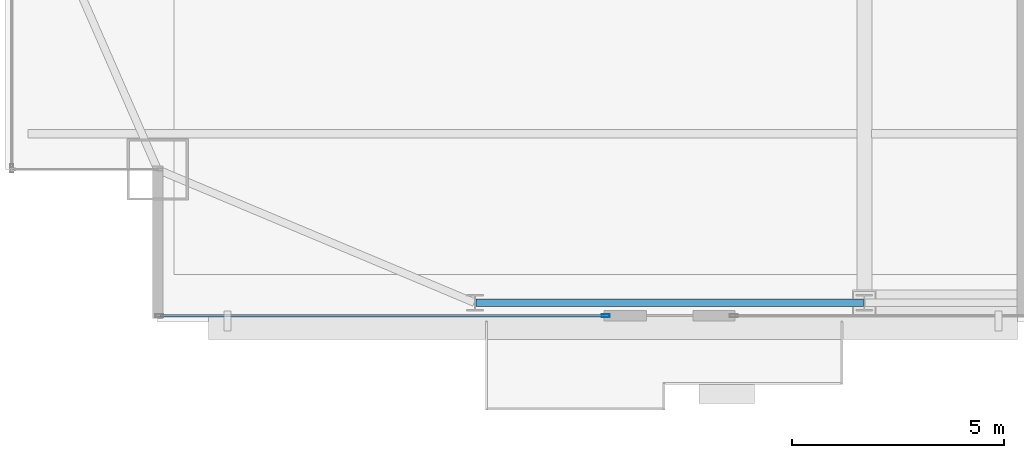
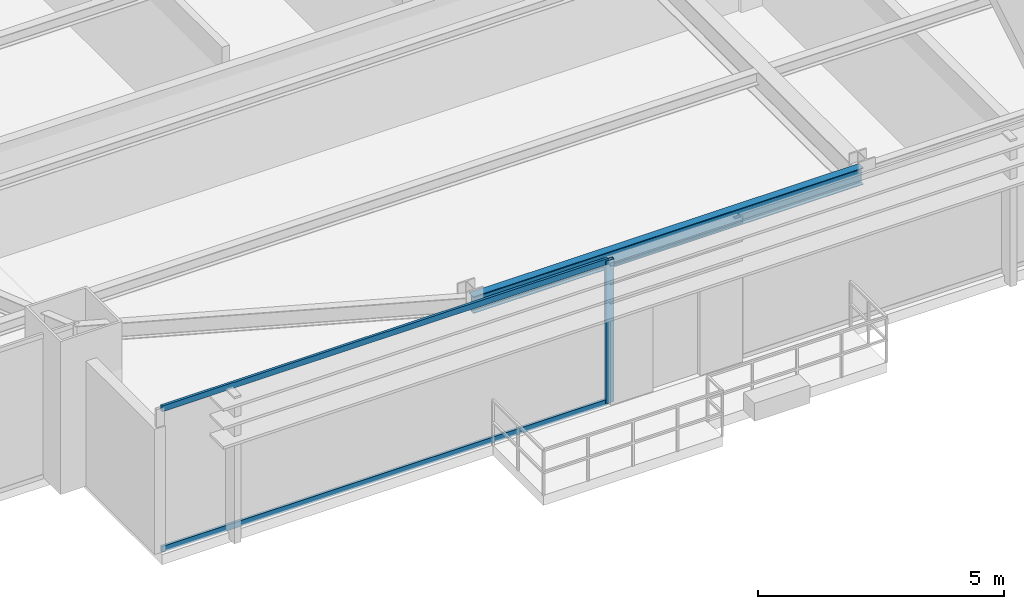
# One storey, part 4 of 37: 3 members, 1 beam, 1 element without a shape of its own.
"""IFC4 building model written with IfcOpenShell, lengths in metres."""

from ifc_helpers import new_model, si_unit, direction, frame, origin, origin_2d, place, context, subcontext, project, spatial, hollow_rectangle, i_section, extrude, source, transform, mapped, material, layer, layer_set, material_profile, profile_set, type_object, type_shapes, element, aggregate, save


model = new_model("IFC4")

# Units and contexts
model_context = context("Model", 3, precision=1e-05, world=origin(), true_north=direction((0.0, 1.0)))
body_context = subcontext(model_context, "Body", "Model", "MODEL_VIEW")
ifc_project = project(units=[si_unit("LENGTHUNIT", "METRE"), si_unit("AREAUNIT", "SQUARE_METRE"), si_unit("VOLUMEUNIT", "CUBIC_METRE"), si_unit("PLANEANGLEUNIT", "RADIAN"), si_unit("MASSUNIT", "GRAM", prefix="KILO")], contexts=[model_context])

# Site, building, storey
site_placement = place(None, origin())
site = spatial("IfcSite", under=ifc_project, at=site_placement, CompositionType="ELEMENT")
building_placement = place(site_placement, origin())
building = spatial("IfcBuilding", under=site, at=building_placement, Name="Varnel Quay Broadcast Tower", CompositionType="ELEMENT")
storey_placement = place(building_placement, frame((0.0, 0.0, 125.800048828125)))
storey = spatial("IfcBuildingStorey", under=building, at=storey_placement, Name="L30", CompositionType="ELEMENT", Elevation=125.800048828125)

# Beam
ifc_material_1 = material(Name="Structural Steel CSA G40.21 350W", Category="steel")
ifc_material_profile_1 = material_profile(ifc_material_1, i_section(OverallWidth=0.180908203125, OverallDepth=0.4169921875, WebThickness=0.010986328125, FlangeThickness=0.018310546875, FilletRadius=0.011962890625, at=origin_2d()), Name="W410X85")
ifc_profile_set_1 = profile_set([ifc_material_profile_1], Name="Structural Steel CSA G40.21 350W")
beam_type = type_object("IfcBeamType", Name="Beam_W410X85", PredefinedType="SPANDREL", material=ifc_profile_set_1)
shared_shape_1 = source(origin(), body_context, "Body", "SweptSolid", [
    extrude(i_section(OverallWidth=0.180908203125, OverallDepth=0.4169921875, WebThickness=0.010986328125, FlangeThickness=0.018310546875, FilletRadius=0.011962890625, at=origin_2d()), origin(), (0.0, 0.0, 1.0), 9.159912109375),
])
type_shapes(beam_type, [shared_shape_1])
beam_placement = place(storey_placement, frame((15.6201171875, 4.64990234375, 3.341552734375), z_axis=(1.0, 0.0, 0.0), x_axis=(0.0, 1.0, 0.0)))
element("IfcBeam", 1, at=beam_placement, inside=storey, type_object=beam_type, Name="L30 South Spandrel TC-S1-TC-S2", PredefinedType="SPANDREL", context=body_context, shape_type="MappedRepresentation", body=[
    mapped(shared_shape_1, transform((0.0, 0.0, 0.0), x_axis=(1.0, 0.0, 0.0), y_axis=(0.0, 1.0, 0.0), z_axis=(0.0, 0.0, 1.0), scale=1.0)),
])

# Curtain wall, members
ifc_material_2 = material(Name="Anodised Bronze Aluminium 6063-T6", Category="aluminium")
ifc_layer = layer(ifc_material_2, 0.18994140625, Name="Anodised Bronze Aluminium 6063-T6")
ifc_layer_set = layer_set([ifc_layer], Name="Anodised Bronze Aluminium 6063-T6")
curtain_wall_type = type_object("IfcCurtainWallType", Name="CW_LowerTower", PredefinedType="NOTDEFINED", material=ifc_layer_set)
curtain_wall_placement = place(storey_placement, origin())
curtain_wall = element("IfcCurtainWall", 2, at=curtain_wall_placement, inside=storey, type_object=curtain_wall_type, Name="L30 South Unitised Curtain Wall 1", PredefinedType="NOTDEFINED")
ifc_material_profile_2 = material_profile(ifc_material_2, hollow_rectangle(XDim=0.070068359375, YDim=0.18994140625, WallThickness=0.00390625, at=origin_2d()), Name="ALU70X190X4")
ifc_profile_set_2 = profile_set([ifc_material_profile_2], Name="Anodised Bronze Aluminium 6063-T6")
member_type_1 = type_object("IfcMemberType", Name="Mull_CWS-02", PredefinedType="MULLION", material=ifc_profile_set_2)
shared_shape_2 = source(origin(), body_context, "Body", "SweptSolid", [
    extrude(hollow_rectangle(XDim=0.070068359375, YDim=0.18994140625, WallThickness=0.00390625, at=origin_2d()), origin(), (0.0, 0.0, 1.0), 3.550048828125),
])
type_shapes(member_type_1, [shared_shape_2])
member_1_placement = place(storey_placement, frame((18.68505859375, 4.35009765625, 0.0), z_axis=(0.0, 0.0, 1.0), x_axis=(0.0, 1.0, 0.0)))
member_1 = element("IfcMember", 3, at=member_1_placement, type_object=member_type_1, Name="CWS-02 mullion 2", PredefinedType="MULLION", context=body_context, shape_type="MappedRepresentation", body=[
    mapped(shared_shape_2, transform((0.0, 0.0, 0.0), x_axis=(1.0, 0.0, 0.0), y_axis=(0.0, 1.0, 0.0), z_axis=(0.0, 0.0, 1.0), scale=1.0)),
])
ifc_material_profile_3 = material_profile(ifc_material_2, hollow_rectangle(XDim=0.06005859375, YDim=0.14501953125, WallThickness=0.00341796875, at=origin_2d()), Name="ALU60X145X3.5")
ifc_profile_set_3 = profile_set([ifc_material_profile_3], Name="Anodised Bronze Aluminium 6063-T6")
member_type_2 = type_object("IfcMemberType", Name="Tran_CWS-02", PredefinedType="USERDEFINED", material=ifc_profile_set_3)
shared_shape_3 = source(origin(), body_context, "Body", "SweptSolid", [
    extrude(hollow_rectangle(XDim=0.06005859375, YDim=0.14501953125, WallThickness=0.00341796875, at=origin_2d()), origin(), (0.0, 0.0, 1.0), 10.47998046875),
])
type_shapes(member_type_2, [shared_shape_3])
member_2_placement = place(storey_placement, frame((8.169921875, 4.35009765625, 0.030029296875), z_axis=(1.0, 0.0, 0.0), x_axis=(0.0, 1.0, 0.0)))
member_2 = element("IfcMember", 4, at=member_2_placement, type_object=member_type_2, Name="CWS-02 transom 1.1", ObjectType="TRANSOM", PredefinedType="USERDEFINED", context=body_context, shape_type="MappedRepresentation", body=[
    mapped(shared_shape_3, transform((0.0, 0.0, 0.0), x_axis=(1.0, 0.0, 0.0), y_axis=(0.0, 1.0, 0.0), z_axis=(0.0, 0.0, 1.0), scale=1.0)),
])
member_3_placement = place(storey_placement, frame((8.169921875, 4.35009765625, 3.52001953125), z_axis=(1.0, 0.0, 0.0), x_axis=(0.0, 1.0, 0.0)))
member_3 = element("IfcMember", 5, at=member_3_placement, type_object=member_type_2, Name="CWS-02 transom 1.2", ObjectType="TRANSOM", PredefinedType="USERDEFINED", context=body_context, shape_type="MappedRepresentation", body=[
    mapped(shared_shape_3, transform((0.0, 0.0, 0.0), x_axis=(1.0, 0.0, 0.0), y_axis=(0.0, 1.0, 0.0), z_axis=(0.0, 0.0, 1.0), scale=1.0)),
])
aggregate(curtain_wall, [member_1, member_2, member_3])

save(model, "model.ifc")
